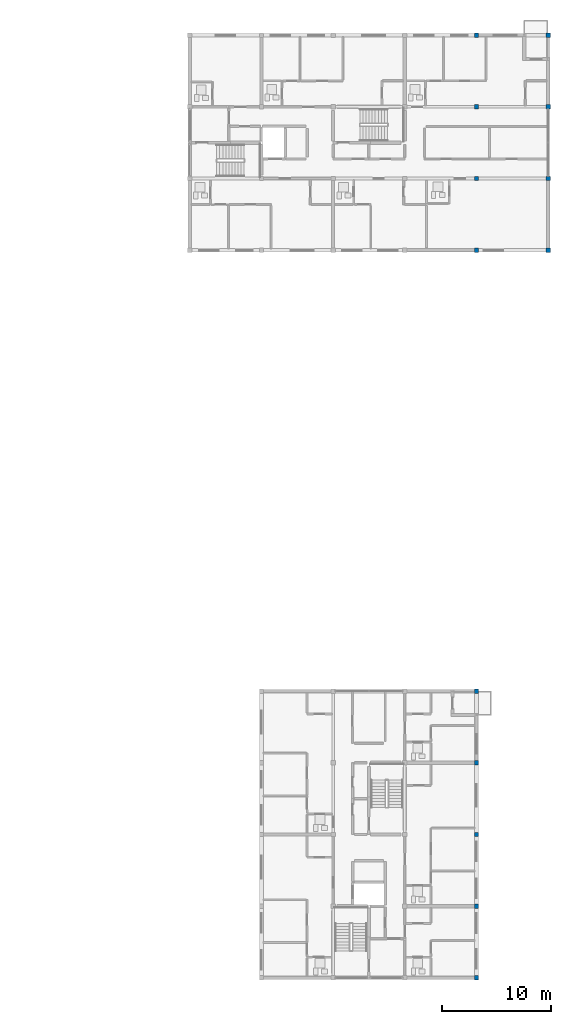
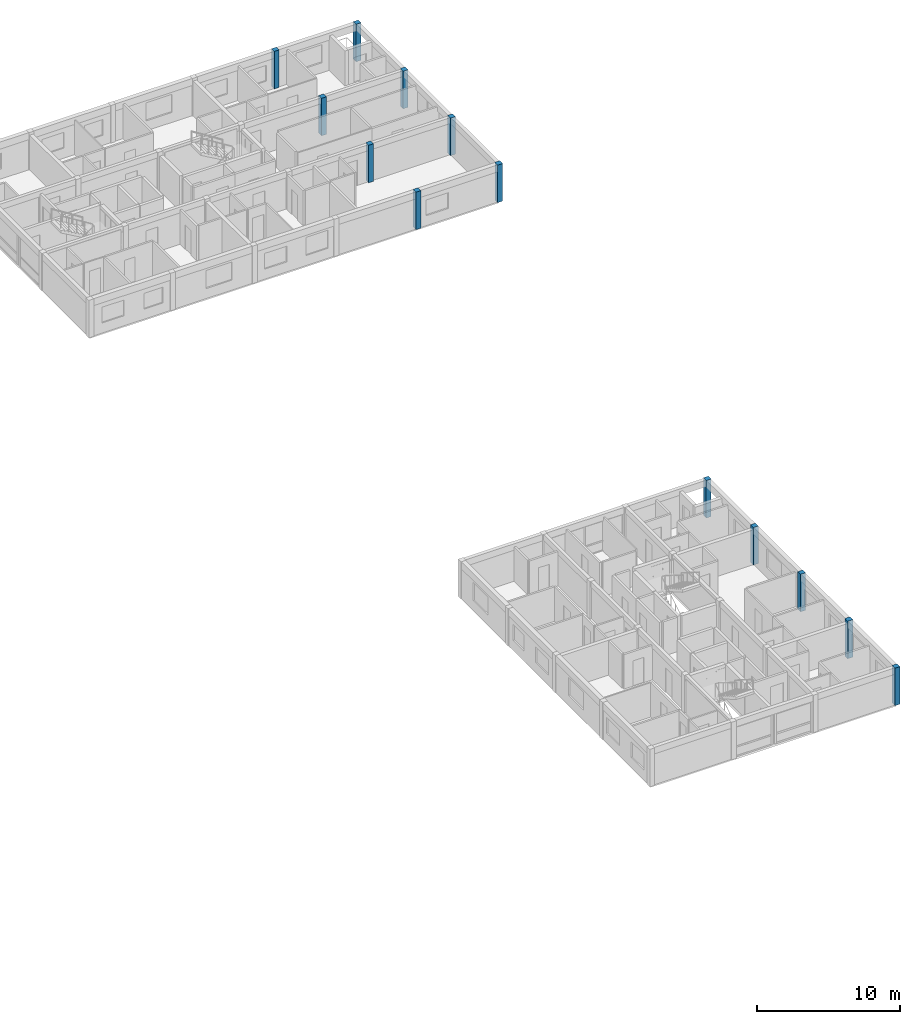
# One storey, part 3 of 34: 13 columns.
"""IFC4 building model written with IfcOpenShell, lengths in metres."""

from ifc_helpers import new_model, si_unit, direction, frame, origin, origin_2d, place, context, subcontext, project, spatial, rectangle, extrude, material, material_profile, profile_set, type_object, element, save


model = new_model("IFC4")

# Units and contexts
model_context = context("Model", 3, precision=1e-05, world=origin(), true_north=direction((0.0, 1.0)))
body_context = subcontext(model_context, "Body", "Model", "MODEL_VIEW")
ifc_project = project(units=[si_unit("LENGTHUNIT", "METRE"), si_unit("AREAUNIT", "SQUARE_METRE"), si_unit("VOLUMEUNIT", "CUBIC_METRE"), si_unit("PLANEANGLEUNIT", "RADIAN"), si_unit("MASSUNIT", "GRAM", prefix="KILO")], contexts=[model_context])

# Site, building, storey
site_placement = place(None, origin())
site = spatial("IfcSite", under=ifc_project, at=site_placement, CompositionType="ELEMENT")
building_placement = place(site_placement, origin())
building = spatial("IfcBuilding", under=site, at=building_placement, Name="Kernevlak Ridge Housing Community", CompositionType="ELEMENT")
storey_placement = place(building_placement, frame((0.0, 0.0, 34.0)))
storey = spatial("IfcBuildingStorey", under=building, at=storey_placement, Name="L10", CompositionType="ELEMENT", Elevation=34.0)

# Columns
ifc_material = material(Name="Concrete C35/45", Category="concrete")
ifc_material_profile = material_profile(ifc_material, rectangle(XDim=0.39990234375, YDim=0.39990234375, at=origin_2d()), Name="RC 400x400")
ifc_profile_set = profile_set([ifc_material_profile], Name="Concrete C35/45")
column_type = type_object("IfcColumnType", Name="C-05", PredefinedType="COLUMN", material=ifc_profile_set)
for number, where, z_axis, x_axis, name in (
    (1, (145.800048828125, 82.60009765625, 0.0), (0.0, 0.0, 1.0), (1.0, 0.0, 0.0), "Column C-05 COL-B-L10-04-0"),
    (2, (145.800048828125, 89.199951171875, 0.0), (0.0, 0.0, 1.0), (1.0, 0.0, 0.0), "Column C-05 COL-B-L10-04-1"),
    (3, (145.800048828125, 95.800048828125, 0.0), (0.0, 0.0, 1.0), (1.0, 0.0, 0.0), "Column C-05 COL-B-L10-04-2"),
    (4, (145.800048828125, 102.39990234375, 0.0), (0.0, 0.0, 1.0), (1.0, 0.0, 0.0), "Column C-05 COL-B-L10-04-3"),
    (5, (152.39990234375, 82.60009765625, 0.0), (0.0, 0.0, 1.0), (1.0, 0.0, 0.0), "Column C-05 COL-B-L10-05-0"),
    (6, (152.39990234375, 89.199951171875, 0.0), (0.0, 0.0, 1.0), (1.0, 0.0, 0.0), "Column C-05 COL-B-L10-05-1"),
    (7, (152.39990234375, 95.800048828125, 0.0), (0.0, 0.0, 1.0), (1.0, 0.0, 0.0), "Column C-05 COL-B-L10-05-2"),
    (8, (152.39990234375, 102.39990234375, 0.0), (0.0, 0.0, 1.0), (1.0, 0.0, 0.0), "Column C-05 COL-B-L10-05-3"),
    (9, (145.800048828125, 15.60009765625, 0.0), (0.0, 0.0, 1.0), (1.0, 0.0, 0.0), "Column C-05 COL-C-L10-00-3"),
    (10, (145.800048828125, 22.199951171875, 0.0), (0.0, 0.0, 1.0), (1.0, 0.0, 0.0), "Column C-05 COL-C-L10-01-3"),
    (11, (145.800048828125, 28.800048828125, 0.0), (0.0, 0.0, 1.0), (1.0, 0.0, 0.0), "Column C-05 COL-C-L10-02-3"),
    (12, (145.800048828125, 35.39990234375, 0.0), (0.0, 0.0, 1.0), (1.0, 0.0, 0.0), "Column C-05 COL-C-L10-03-3"),
    (13, (145.800048828125, 42.0, 0.0), (0.0, 0.0, 1.0), (1.0, 0.0, 0.0), "Column C-05 COL-C-L10-04-3"),
):
    element("IfcColumn", number, at=place(storey_placement, frame(where, z_axis=z_axis, x_axis=x_axis)), inside=storey, type_object=column_type, Name=name, PredefinedType="COLUMN", context=body_context, shape_type="SweptSolid", body=[
        extrude(rectangle(XDim=0.39990234375, YDim=0.39990234375, at=origin_2d()), origin(), (0.0, 0.0, 1.0), 3.199951171875),
    ])

save(model, "model.ifc")
